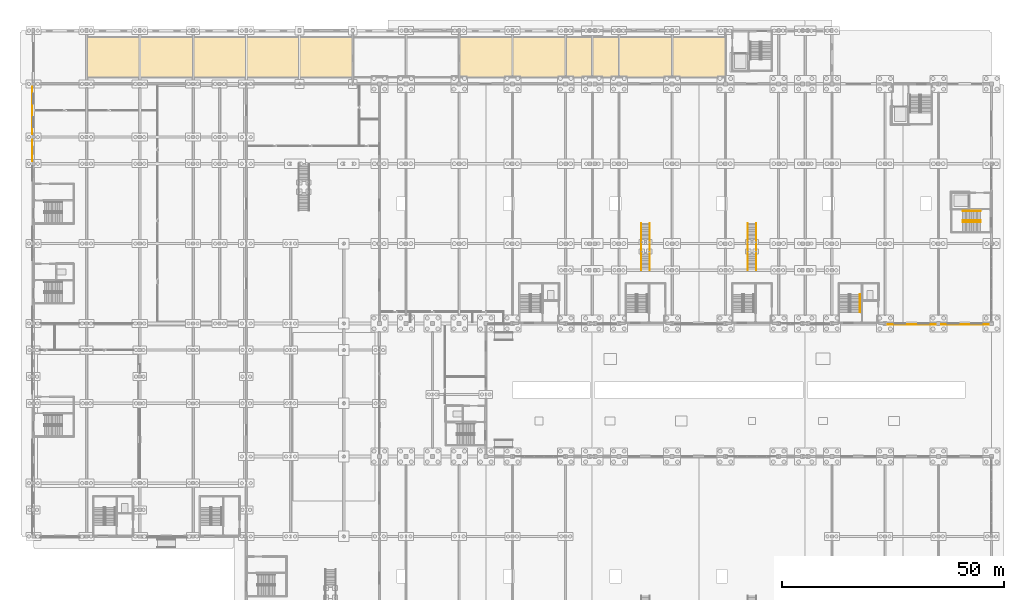
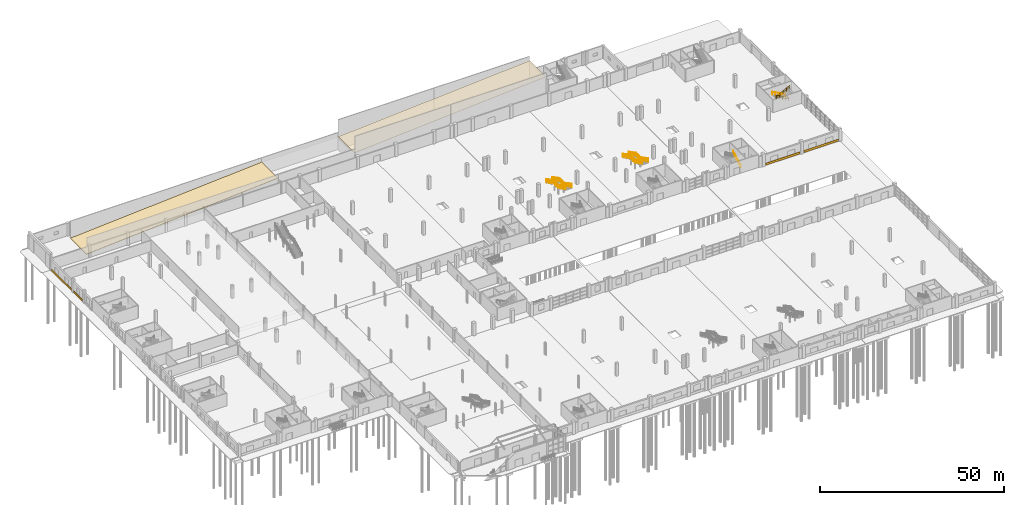
# One storey, part 75 of 77: 7 railings, 6 coverings.
"""IFC4 building model written with IfcOpenShell, lengths in metres."""

from ifc_helpers import new_model, si_unit, direction, frame, origin, origin_2d, place, context, subcontext, project, spatial, polyline, rectangle, circle, outline, extrude, material, layer, layer_set, type_object, element, save


model = new_model("IFC4")

# Units and contexts
model_context = context("Model", 3, precision=1e-05, world=origin(), true_north=direction((0.0, 1.0)))
body_context = subcontext(model_context, "Body", "Model", "MODEL_VIEW")
ifc_project = project(units=[si_unit("LENGTHUNIT", "METRE"), si_unit("AREAUNIT", "SQUARE_METRE"), si_unit("VOLUMEUNIT", "CUBIC_METRE"), si_unit("PLANEANGLEUNIT", "RADIAN"), si_unit("MASSUNIT", "GRAM", prefix="KILO")], contexts=[model_context])

# Site, building, storey
site_placement = place(None, origin())
site = spatial("IfcSite", under=ifc_project, at=site_placement, CompositionType="ELEMENT")
building_placement = place(site_placement, origin())
building = spatial("IfcBuilding", under=site, at=building_placement, Name="Zilviju Railside Exhibition Hall", CompositionType="ELEMENT")
storey_placement = place(building_placement, origin())
storey = spatial("IfcBuildingStorey", under=building, at=storey_placement, Name="L01", CompositionType="ELEMENT", Elevation=0.0)

# Coverings
ifc_material_1 = material(Name="Rusticated Baltic granite plinth ashlar cladding", Category="masonry")
ifc_layer_1 = layer(ifc_material_1, 0.050048828125)
ifc_layer_set_1 = layer_set([ifc_layer_1], Name="Rusticated Baltic granite plinth ashlar cladding")
covering_type_1 = type_object("IfcCoveringType", Name="COV-CLAD-GRANITE", PredefinedType="CLADDING", material=ifc_layer_set_1)
for number, where, z_axis, x_axis, name in (
    (1, (198.0, 83.7548828125, 0.074951171875), (0.0, 0.0, 1.0), (-1.0, 0.0, 0.0), "Jugendstils Facade Cladding Band L01 017"),
    (2, (210.0, 83.7548828125, 0.074951171875), (0.0, 0.0, 1.0), (-1.0, 0.0, 0.0), "Jugendstils Facade Cladding Band L01 018"),
):
    element("IfcCovering", number, at=place(storey_placement, frame(where, z_axis=z_axis, x_axis=x_axis)), inside=storey, type_object=covering_type_1, Name=name, PredefinedType="CLADDING", context=body_context, shape_type="SweptSolid", body=[
        extrude(rectangle(XDim=10.800048828125, YDim=0.050048828125, at=origin_2d()), origin(), (0.0, 0.0, 1.0), 0.75),
    ])
covering_1_placement = place(storey_placement, frame((-0.22998046875, 123.0, 0.074951171875), z_axis=(0.0, 0.0, 1.0), x_axis=(0.0, 1.0, 0.0)))
element("IfcCovering", 3, at=covering_1_placement, inside=storey, type_object=covering_type_1, Name="Jugendstils Facade Cladding Band L01 035", PredefinedType="CLADDING", context=body_context, shape_type="SweptSolid", body=[
    extrude(rectangle(XDim=4.800048828125, YDim=0.050048828125, at=origin_2d()), origin(), (0.0, 0.0, 1.0), 0.75),
])
covering_2_placement = place(storey_placement, frame((-0.22998046875, 132.0, 0.074951171875), z_axis=(0.0, 0.0, 1.0), x_axis=(0.0, 1.0, 0.0)))
element("IfcCovering", 4, at=covering_2_placement, inside=storey, type_object=covering_type_1, Name="Jugendstils Facade Cladding Band L01 036", PredefinedType="CLADDING", context=body_context, shape_type="SweptSolid", body=[
    extrude(rectangle(XDim=10.800048828125, YDim=0.050048828125, at=origin_2d()), origin(), (0.0, 0.0, 1.0), 0.75),
])
ifc_material_2 = material(Name="Concrete C40/50", Category="concrete")
ifc_layer_2 = layer(ifc_material_2, 0.1201171875)
ifc_layer_set_2 = layer_set([ifc_layer_2], Name="Concrete C40/50")
covering_type_2 = type_object("IfcCoveringType", Name="COV-RAMP-WEAR-120", PredefinedType="FLOORING", material=ifc_layer_set_2)
for number, where, z_axis, x_axis, name in (
    (5, (12.0, 144.0, 0.0), (0.0, 0.0, 1.0), (1.0, 0.0, 0.0), "HGV Truck Ramp R1 Wearing Flight 1"),
    (6, (96.0, 144.0, 4.199951171875), (0.0, 0.0, 1.0), (1.0, 0.0, 0.0), "HGV Truck Ramp R1 Wearing Flight 2"),
):
    element("IfcCovering", number, at=place(storey_placement, frame(where, z_axis=z_axis, x_axis=x_axis)), inside=storey, type_object=covering_type_2, Name=name, PredefinedType="FLOORING", context=body_context, shape_type="SweptSolid", body=[
        extrude(outline(polyline([(0.0, -0.1201171875), (0.0, 0.0), (60.0, 4.199951171875), (60.0, 4.079833984375), (0.0, -0.1201171875)])), frame((0.0, 4.39990234375, 0.0), z_axis=(0.0, -1.0, 0.0), x_axis=(1.0, 0.0, 0.0)), (0.0, 0.0, 1.0), 8.800048828125),
    ])

# Railings
ifc_material_3 = material(Name="Ornamental wrought-iron Jugendstils gallery balustrade", Category="steel")
railing_type_1 = type_object("IfcRailingType", Name="RL-BALUSTRADE-1120", PredefinedType="BALUSTRADE", material=ifc_material_3)
railing_1_placement = place(storey_placement, frame((137.06005859375, 106.56005859375, 0.0)))
element("IfcRailing", 7, at=railing_1_placement, inside=storey, type_object=railing_type_1, Name="Feature Stair ST-22 Ornamental Balustrade L", PredefinedType="BALUSTRADE", context=body_context, shape_type="SweptSolid", body=[
    extrude(circle(Radius=0.02392578125, at=origin_2d()), frame((0.0, -0.019287109375, 1.106201171875), z_axis=(0.0, -0.88681272381, 0.462128978628), x_axis=(1.0, 0.0, 0.0)), (0.0, 0.0, 1.0), 4.500732421875),
    extrude(circle(Radius=0.02392578125, at=origin_2d()), frame((0.0, -0.019287109375, 0.570068359375), z_axis=(0.0, -0.88681272381, 0.462128978628), x_axis=(1.0, 0.0, 0.0)), (0.0, 0.0, 1.0), 4.500732421875),
    extrude(circle(Radius=0.02392578125, at=origin_2d()), frame((0.0, -4.0517578125, 3.1962890625), z_axis=(0.0, -1.0, 0.0), x_axis=(1.0, 0.0, 0.0)), (0.0, 0.0, 1.0), 2.456298828125),
    extrude(circle(Radius=0.02392578125, at=origin_2d()), frame((0.0, -4.0517578125, 2.66015625), z_axis=(0.0, -1.0, 0.0), x_axis=(1.0, 0.0, 0.0)), (0.0, 0.0, 1.0), 2.456298828125),
    extrude(circle(Radius=0.02392578125, at=origin_2d()), frame((0.0, -6.54931640625, 3.206298828125), z_axis=(0.0, -0.886834740388, 0.462086726969), x_axis=(1.0, 0.0, 0.0)), (0.0, 0.0, 1.0), 4.500732421875),
    extrude(circle(Radius=0.02392578125, at=origin_2d()), frame((0.0, -6.54931640625, 2.670166015625), z_axis=(0.0, -0.886834740388, 0.462086726969), x_axis=(1.0, 0.0, 0.0)), (0.0, 0.0, 1.0), 4.500732421875),
    extrude(circle(Radius=0.02099609375, at=origin_2d()), origin(), (0.0, 0.0, 1.0), 1.1201171875),
    extrude(circle(Radius=0.02099609375, at=origin_2d()), frame((0.0, -1.007568359375, 0.52490234375)), (0.0, 0.0, 1.0), 1.1201171875),
    extrude(circle(Radius=0.02099609375, at=origin_2d()), frame((0.0, -2.01513671875, 1.050048828125)), (0.0, 0.0, 1.0), 1.1201171875),
    extrude(circle(Radius=0.02099609375, at=origin_2d()), frame((0.0, -3.0224609375, 1.5751953125)), (0.0, 0.0, 1.0), 1.1201171875),
    extrude(circle(Radius=0.02099609375, at=origin_2d()), frame((0.0, -4.030029296875, 2.10009765625)), (0.0, 0.0, 1.0), 1.1201171875),
    extrude(circle(Radius=0.02099609375, at=origin_2d()), frame((0.0, -4.86328125, 2.10009765625)), (0.0, 0.0, 1.0), 1.1201171875),
    extrude(circle(Radius=0.02099609375, at=origin_2d()), frame((0.0, -5.69677734375, 2.10009765625)), (0.0, 0.0, 1.0), 1.1201171875),
    extrude(circle(Radius=0.02099609375, at=origin_2d()), frame((0.0, -6.530029296875, 2.10009765625)), (0.0, 0.0, 1.0), 1.1201171875),
    extrude(circle(Radius=0.02099609375, at=origin_2d()), frame((0.0, -7.53759765625, 2.625)), (0.0, 0.0, 1.0), 1.1201171875),
    extrude(circle(Radius=0.02099609375, at=origin_2d()), frame((0.0, -8.544921875, 3.14990234375)), (0.0, 0.0, 1.0), 1.1201171875),
    extrude(circle(Radius=0.02099609375, at=origin_2d()), frame((0.0, -9.552490234375, 3.675048828125)), (0.0, 0.0, 1.0), 1.1201171875),
    extrude(circle(Radius=0.02099609375, at=origin_2d()), frame((0.0, -10.56005859375, 4.199951171875)), (0.0, 0.0, 1.0), 1.1201171875),
])
railing_2_placement = place(storey_placement, frame((138.93994140625, 106.56005859375, 0.0)))
element("IfcRailing", 8, at=railing_2_placement, inside=storey, type_object=railing_type_1, Name="Feature Stair ST-22 Ornamental Balustrade R", PredefinedType="BALUSTRADE", context=body_context, shape_type="SweptSolid", body=[
    extrude(circle(Radius=0.02392578125, at=origin_2d()), frame((0.0, -0.019287109375, 1.106201171875), z_axis=(0.0, -0.88681272381, 0.462128978628), x_axis=(1.0, 0.0, 0.0)), (0.0, 0.0, 1.0), 4.500732421875),
    extrude(circle(Radius=0.02392578125, at=origin_2d()), frame((0.0, -0.019287109375, 0.570068359375), z_axis=(0.0, -0.88681272381, 0.462128978628), x_axis=(1.0, 0.0, 0.0)), (0.0, 0.0, 1.0), 4.500732421875),
    extrude(circle(Radius=0.02392578125, at=origin_2d()), frame((0.0, -4.0517578125, 3.1962890625), z_axis=(0.0, -1.0, 0.0), x_axis=(1.0, 0.0, 0.0)), (0.0, 0.0, 1.0), 2.456298828125),
    extrude(circle(Radius=0.02392578125, at=origin_2d()), frame((0.0, -4.0517578125, 2.66015625), z_axis=(0.0, -1.0, 0.0), x_axis=(1.0, 0.0, 0.0)), (0.0, 0.0, 1.0), 2.456298828125),
    extrude(circle(Radius=0.02392578125, at=origin_2d()), frame((0.0, -6.54931640625, 3.206298828125), z_axis=(0.0, -0.886834740388, 0.462086726969), x_axis=(1.0, 0.0, 0.0)), (0.0, 0.0, 1.0), 4.500732421875),
    extrude(circle(Radius=0.02392578125, at=origin_2d()), frame((0.0, -6.54931640625, 2.670166015625), z_axis=(0.0, -0.886834740388, 0.462086726969), x_axis=(1.0, 0.0, 0.0)), (0.0, 0.0, 1.0), 4.500732421875),
    extrude(circle(Radius=0.02099609375, at=origin_2d()), origin(), (0.0, 0.0, 1.0), 1.1201171875),
    extrude(circle(Radius=0.02099609375, at=origin_2d()), frame((0.0, -1.007568359375, 0.52490234375)), (0.0, 0.0, 1.0), 1.1201171875),
    extrude(circle(Radius=0.02099609375, at=origin_2d()), frame((0.0, -2.01513671875, 1.050048828125)), (0.0, 0.0, 1.0), 1.1201171875),
    extrude(circle(Radius=0.02099609375, at=origin_2d()), frame((0.0, -3.0224609375, 1.5751953125)), (0.0, 0.0, 1.0), 1.1201171875),
    extrude(circle(Radius=0.02099609375, at=origin_2d()), frame((0.0, -4.030029296875, 2.10009765625)), (0.0, 0.0, 1.0), 1.1201171875),
    extrude(circle(Radius=0.02099609375, at=origin_2d()), frame((0.0, -4.86328125, 2.10009765625)), (0.0, 0.0, 1.0), 1.1201171875),
    extrude(circle(Radius=0.02099609375, at=origin_2d()), frame((0.0, -5.69677734375, 2.10009765625)), (0.0, 0.0, 1.0), 1.1201171875),
    extrude(circle(Radius=0.02099609375, at=origin_2d()), frame((0.0, -6.530029296875, 2.10009765625)), (0.0, 0.0, 1.0), 1.1201171875),
    extrude(circle(Radius=0.02099609375, at=origin_2d()), frame((0.0, -7.53759765625, 2.625)), (0.0, 0.0, 1.0), 1.1201171875),
    extrude(circle(Radius=0.02099609375, at=origin_2d()), frame((0.0, -8.544921875, 3.14990234375)), (0.0, 0.0, 1.0), 1.1201171875),
    extrude(circle(Radius=0.02099609375, at=origin_2d()), frame((0.0, -9.552490234375, 3.675048828125)), (0.0, 0.0, 1.0), 1.1201171875),
    extrude(circle(Radius=0.02099609375, at=origin_2d()), frame((0.0, -10.56005859375, 4.199951171875)), (0.0, 0.0, 1.0), 1.1201171875),
])
railing_3_placement = place(storey_placement, frame((161.06005859375, 106.56005859375, 0.0)))
element("IfcRailing", 9, at=railing_3_placement, inside=storey, type_object=railing_type_1, Name="Feature Stair ST-23 Ornamental Balustrade L", PredefinedType="BALUSTRADE", context=body_context, shape_type="SweptSolid", body=[
    extrude(circle(Radius=0.02392578125, at=origin_2d()), frame((0.0, -0.019287109375, 1.106201171875), z_axis=(0.0, -0.88681272381, 0.462128978628), x_axis=(1.0, 0.0, 0.0)), (0.0, 0.0, 1.0), 4.500732421875),
    extrude(circle(Radius=0.02392578125, at=origin_2d()), frame((0.0, -0.019287109375, 0.570068359375), z_axis=(0.0, -0.88681272381, 0.462128978628), x_axis=(1.0, 0.0, 0.0)), (0.0, 0.0, 1.0), 4.500732421875),
    extrude(circle(Radius=0.02392578125, at=origin_2d()), frame((0.0, -4.0517578125, 3.1962890625), z_axis=(0.0, -1.0, 0.0), x_axis=(1.0, 0.0, 0.0)), (0.0, 0.0, 1.0), 2.456298828125),
    extrude(circle(Radius=0.02392578125, at=origin_2d()), frame((0.0, -4.0517578125, 2.66015625), z_axis=(0.0, -1.0, 0.0), x_axis=(1.0, 0.0, 0.0)), (0.0, 0.0, 1.0), 2.456298828125),
    extrude(circle(Radius=0.02392578125, at=origin_2d()), frame((0.0, -6.54931640625, 3.206298828125), z_axis=(0.0, -0.886834740388, 0.462086726969), x_axis=(1.0, 0.0, 0.0)), (0.0, 0.0, 1.0), 4.500732421875),
    extrude(circle(Radius=0.02392578125, at=origin_2d()), frame((0.0, -6.54931640625, 2.670166015625), z_axis=(0.0, -0.886834740388, 0.462086726969), x_axis=(1.0, 0.0, 0.0)), (0.0, 0.0, 1.0), 4.500732421875),
    extrude(circle(Radius=0.02099609375, at=origin_2d()), origin(), (0.0, 0.0, 1.0), 1.1201171875),
    extrude(circle(Radius=0.02099609375, at=origin_2d()), frame((0.0, -1.007568359375, 0.52490234375)), (0.0, 0.0, 1.0), 1.1201171875),
    extrude(circle(Radius=0.02099609375, at=origin_2d()), frame((0.0, -2.01513671875, 1.050048828125)), (0.0, 0.0, 1.0), 1.1201171875),
    extrude(circle(Radius=0.02099609375, at=origin_2d()), frame((0.0, -3.0224609375, 1.5751953125)), (0.0, 0.0, 1.0), 1.1201171875),
    extrude(circle(Radius=0.02099609375, at=origin_2d()), frame((0.0, -4.030029296875, 2.10009765625)), (0.0, 0.0, 1.0), 1.1201171875),
    extrude(circle(Radius=0.02099609375, at=origin_2d()), frame((0.0, -4.86328125, 2.10009765625)), (0.0, 0.0, 1.0), 1.1201171875),
    extrude(circle(Radius=0.02099609375, at=origin_2d()), frame((0.0, -5.69677734375, 2.10009765625)), (0.0, 0.0, 1.0), 1.1201171875),
    extrude(circle(Radius=0.02099609375, at=origin_2d()), frame((0.0, -6.530029296875, 2.10009765625)), (0.0, 0.0, 1.0), 1.1201171875),
    extrude(circle(Radius=0.02099609375, at=origin_2d()), frame((0.0, -7.53759765625, 2.625)), (0.0, 0.0, 1.0), 1.1201171875),
    extrude(circle(Radius=0.02099609375, at=origin_2d()), frame((0.0, -8.544921875, 3.14990234375)), (0.0, 0.0, 1.0), 1.1201171875),
    extrude(circle(Radius=0.02099609375, at=origin_2d()), frame((0.0, -9.552490234375, 3.675048828125)), (0.0, 0.0, 1.0), 1.1201171875),
    extrude(circle(Radius=0.02099609375, at=origin_2d()), frame((0.0, -10.56005859375, 4.199951171875)), (0.0, 0.0, 1.0), 1.1201171875),
])
railing_4_placement = place(storey_placement, frame((162.93994140625, 106.56005859375, 0.0)))
element("IfcRailing", 10, at=railing_4_placement, inside=storey, type_object=railing_type_1, Name="Feature Stair ST-23 Ornamental Balustrade R", PredefinedType="BALUSTRADE", context=body_context, shape_type="SweptSolid", body=[
    extrude(circle(Radius=0.02392578125, at=origin_2d()), frame((0.0, -0.019287109375, 1.106201171875), z_axis=(0.0, -0.88681272381, 0.462128978628), x_axis=(1.0, 0.0, 0.0)), (0.0, 0.0, 1.0), 4.500732421875),
    extrude(circle(Radius=0.02392578125, at=origin_2d()), frame((0.0, -0.019287109375, 0.570068359375), z_axis=(0.0, -0.88681272381, 0.462128978628), x_axis=(1.0, 0.0, 0.0)), (0.0, 0.0, 1.0), 4.500732421875),
    extrude(circle(Radius=0.02392578125, at=origin_2d()), frame((0.0, -4.0517578125, 3.1962890625), z_axis=(0.0, -1.0, 0.0), x_axis=(1.0, 0.0, 0.0)), (0.0, 0.0, 1.0), 2.456298828125),
    extrude(circle(Radius=0.02392578125, at=origin_2d()), frame((0.0, -4.0517578125, 2.66015625), z_axis=(0.0, -1.0, 0.0), x_axis=(1.0, 0.0, 0.0)), (0.0, 0.0, 1.0), 2.456298828125),
    extrude(circle(Radius=0.02392578125, at=origin_2d()), frame((0.0, -6.54931640625, 3.206298828125), z_axis=(0.0, -0.886834740388, 0.462086726969), x_axis=(1.0, 0.0, 0.0)), (0.0, 0.0, 1.0), 4.500732421875),
    extrude(circle(Radius=0.02392578125, at=origin_2d()), frame((0.0, -6.54931640625, 2.670166015625), z_axis=(0.0, -0.886834740388, 0.462086726969), x_axis=(1.0, 0.0, 0.0)), (0.0, 0.0, 1.0), 4.500732421875),
    extrude(circle(Radius=0.02099609375, at=origin_2d()), origin(), (0.0, 0.0, 1.0), 1.1201171875),
    extrude(circle(Radius=0.02099609375, at=origin_2d()), frame((0.0, -1.007568359375, 0.52490234375)), (0.0, 0.0, 1.0), 1.1201171875),
    extrude(circle(Radius=0.02099609375, at=origin_2d()), frame((0.0, -2.01513671875, 1.050048828125)), (0.0, 0.0, 1.0), 1.1201171875),
    extrude(circle(Radius=0.02099609375, at=origin_2d()), frame((0.0, -3.0224609375, 1.5751953125)), (0.0, 0.0, 1.0), 1.1201171875),
    extrude(circle(Radius=0.02099609375, at=origin_2d()), frame((0.0, -4.030029296875, 2.10009765625)), (0.0, 0.0, 1.0), 1.1201171875),
    extrude(circle(Radius=0.02099609375, at=origin_2d()), frame((0.0, -4.86328125, 2.10009765625)), (0.0, 0.0, 1.0), 1.1201171875),
    extrude(circle(Radius=0.02099609375, at=origin_2d()), frame((0.0, -5.69677734375, 2.10009765625)), (0.0, 0.0, 1.0), 1.1201171875),
    extrude(circle(Radius=0.02099609375, at=origin_2d()), frame((0.0, -6.530029296875, 2.10009765625)), (0.0, 0.0, 1.0), 1.1201171875),
    extrude(circle(Radius=0.02099609375, at=origin_2d()), frame((0.0, -7.53759765625, 2.625)), (0.0, 0.0, 1.0), 1.1201171875),
    extrude(circle(Radius=0.02099609375, at=origin_2d()), frame((0.0, -8.544921875, 3.14990234375)), (0.0, 0.0, 1.0), 1.1201171875),
    extrude(circle(Radius=0.02099609375, at=origin_2d()), frame((0.0, -9.552490234375, 3.675048828125)), (0.0, 0.0, 1.0), 1.1201171875),
    extrude(circle(Radius=0.02099609375, at=origin_2d()), frame((0.0, -10.56005859375, 4.199951171875)), (0.0, 0.0, 1.0), 1.1201171875),
])
ifc_material_4 = material(Name="Brushed bronze tubular stair handrail", Category="steel")
railing_type_2 = type_object("IfcRailingType", Name="RL-HANDRAIL-920", PredefinedType="HANDRAIL", material=ifc_material_4)
railing_5_placement = place(storey_placement, frame((186.360107421875, 86.5, 0.0)))
element("IfcRailing", 11, at=railing_5_placement, inside=storey, type_object=railing_type_2, Name="Core C07 North Hall Court East Stair Wall Handrail L01", PredefinedType="HANDRAIL", context=body_context, shape_type="SweptSolid", body=[
    extrude(circle(Radius=0.02392578125, at=origin_2d()), frame((0.0, 0.019287109375, 0.906005859375), z_axis=(0.0, 0.88681272381, 0.462128978628), x_axis=(-1.0, 0.0, 0.0)), (0.0, 0.0, 1.0), 4.500732421875),
    extrude(circle(Radius=0.02099609375, at=origin_2d()), origin(), (0.0, 0.0, 1.0), 0.919921875),
    extrude(circle(Radius=0.02099609375, at=origin_2d()), frame((0.0, 1.007568359375, 0.52490234375)), (0.0, 0.0, 1.0), 0.919921875),
    extrude(circle(Radius=0.02099609375, at=origin_2d()), frame((0.0, 2.01513671875, 1.050048828125)), (0.0, 0.0, 1.0), 0.919921875),
    extrude(circle(Radius=0.02099609375, at=origin_2d()), frame((0.0, 3.0224609375, 1.5751953125)), (0.0, 0.0, 1.0), 0.919921875),
    extrude(circle(Radius=0.02099609375, at=origin_2d()), frame((0.0, 4.030029296875, 2.10009765625)), (0.0, 0.0, 1.0), 0.919921875),
])
railing_6_placement = place(storey_placement, frame((213.5, 109.340087890625, 0.0)))
element("IfcRailing", 12, at=railing_6_placement, inside=storey, type_object=railing_type_2, Name="Core C09 North Hall Gable East Stair Wall Handrail L01", PredefinedType="HANDRAIL", context=body_context, shape_type="SweptSolid", body=[
    extrude(circle(Radius=0.02392578125, at=origin_2d()), frame((-0.019287109375, 0.0, 0.906005859375), z_axis=(-0.88681272381, 0.0, 0.462128978628), x_axis=(0.0, -1.0, 0.0)), (0.0, 0.0, 1.0), 4.500732421875),
    extrude(circle(Radius=0.02099609375, at=origin_2d()), origin(), (0.0, 0.0, 1.0), 0.919921875),
    extrude(circle(Radius=0.02099609375, at=origin_2d()), frame((-1.007568359375, 0.0, 0.52490234375)), (0.0, 0.0, 1.0), 0.919921875),
    extrude(circle(Radius=0.02099609375, at=origin_2d()), frame((-2.01513671875, 0.0, 1.050048828125)), (0.0, 0.0, 1.0), 0.919921875),
    extrude(circle(Radius=0.02099609375, at=origin_2d()), frame((-3.0224609375, 0.0, 1.5751953125)), (0.0, 0.0, 1.0), 0.919921875),
    extrude(circle(Radius=0.02099609375, at=origin_2d()), frame((-4.030029296875, 0.0, 2.10009765625)), (0.0, 0.0, 1.0), 0.919921875),
])
ifc_material_5 = material(Name="Wrought-iron and laminated-glass atrium guardrail", Category="glass")
railing_type_3 = type_object("IfcRailingType", Name="RL-INT-GUARD-1120", PredefinedType="GUARDRAIL", material=ifc_material_5)
railing_7_placement = place(storey_placement, frame((213.5, 107.25, 0.0)))
element("IfcRailing", 13, at=railing_7_placement, inside=storey, type_object=railing_type_3, Name="Core C09 North Hall Gable East Stair Well Guardrail L01", PredefinedType="GUARDRAIL", context=body_context, shape_type="SweptSolid", body=[
    extrude(circle(Radius=0.02392578125, at=origin_2d()), frame((-0.019287109375, 0.0, 1.106201171875), z_axis=(-0.88681272381, 0.0, 0.462128978628), x_axis=(0.0, -1.0, 0.0)), (0.0, 0.0, 1.0), 4.500732421875),
    extrude(circle(Radius=0.02392578125, at=origin_2d()), frame((-0.019287109375, 0.0, 0.570068359375), z_axis=(-0.88681272381, 0.0, 0.462128978628), x_axis=(0.0, -1.0, 0.0)), (0.0, 0.0, 1.0), 4.500732421875),
    extrude(circle(Radius=0.02392578125, at=origin_2d()), frame((-4.030029296875, -0.021728515625, 3.1962890625), z_axis=(0.0, -1.0, 0.0), x_axis=(1.0, 0.0, 0.0)), (0.0, 0.0, 1.0), 0.356201171875),
    extrude(circle(Radius=0.02392578125, at=origin_2d()), frame((-4.030029296875, -0.021728515625, 2.66015625), z_axis=(0.0, -1.0, 0.0), x_axis=(1.0, 0.0, 0.0)), (0.0, 0.0, 1.0), 0.356201171875),
    extrude(circle(Radius=0.02392578125, at=origin_2d()), frame((-4.0107421875, -0.39990234375, 3.206298828125), z_axis=(0.886834740388, 0.0, 0.462086726969), x_axis=(0.0, 1.0, 0.0)), (0.0, 0.0, 1.0), 4.500732421875),
    extrude(circle(Radius=0.02392578125, at=origin_2d()), frame((-4.0107421875, -0.39990234375, 2.670166015625), z_axis=(0.886834740388, 0.0, 0.462086726969), x_axis=(0.0, 1.0, 0.0)), (0.0, 0.0, 1.0), 4.500732421875),
    extrude(circle(Radius=0.02099609375, at=origin_2d()), origin(), (0.0, 0.0, 1.0), 1.1201171875),
    extrude(circle(Radius=0.02099609375, at=origin_2d()), frame((-1.007568359375, 0.0, 0.52490234375)), (0.0, 0.0, 1.0), 1.1201171875),
    extrude(circle(Radius=0.02099609375, at=origin_2d()), frame((-2.01513671875, 0.0, 1.050048828125)), (0.0, 0.0, 1.0), 1.1201171875),
    extrude(circle(Radius=0.02099609375, at=origin_2d()), frame((-3.0224609375, 0.0, 1.5751953125)), (0.0, 0.0, 1.0), 1.1201171875),
    extrude(circle(Radius=0.02099609375, at=origin_2d()), frame((-4.030029296875, 0.0, 2.10009765625)), (0.0, 0.0, 1.0), 1.1201171875),
    extrude(circle(Radius=0.02099609375, at=origin_2d()), frame((-4.030029296875, -0.39990234375, 2.10009765625)), (0.0, 0.0, 1.0), 1.1201171875),
    extrude(circle(Radius=0.02099609375, at=origin_2d()), frame((-3.0224609375, -0.39990234375, 2.625)), (0.0, 0.0, 1.0), 1.1201171875),
    extrude(circle(Radius=0.02099609375, at=origin_2d()), frame((-2.01513671875, -0.39990234375, 3.14990234375)), (0.0, 0.0, 1.0), 1.1201171875),
    extrude(circle(Radius=0.02099609375, at=origin_2d()), frame((-1.007568359375, -0.39990234375, 3.675048828125)), (0.0, 0.0, 1.0), 1.1201171875),
    extrude(circle(Radius=0.02099609375, at=origin_2d()), frame((0.0, -0.39990234375, 4.199951171875)), (0.0, 0.0, 1.0), 1.1201171875),
])

save(model, "model.ifc")
